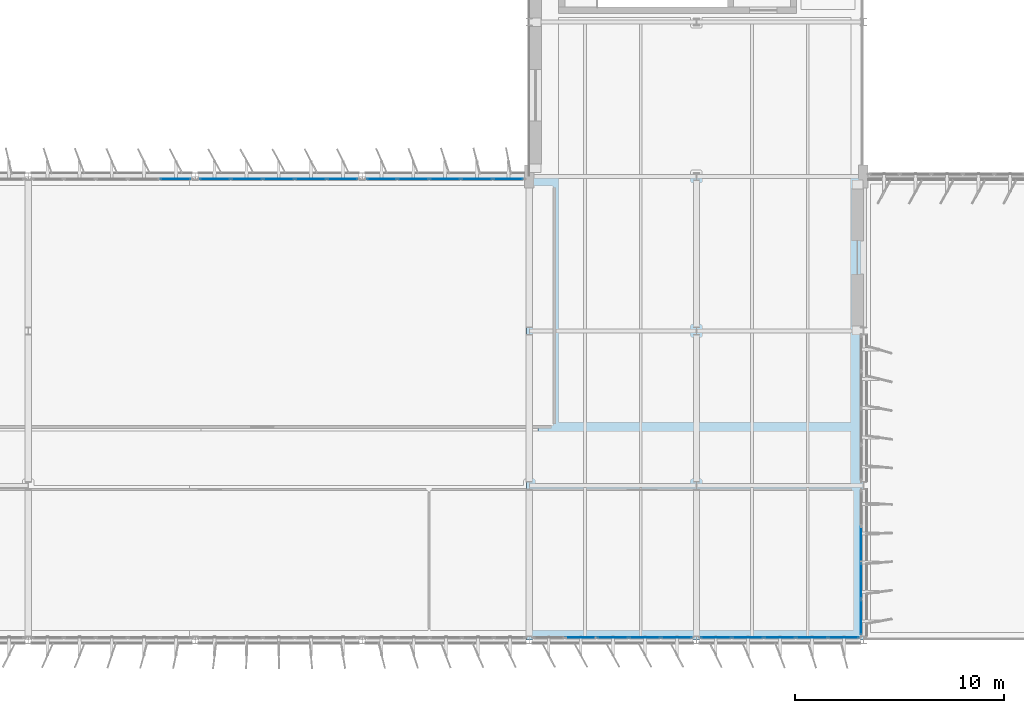
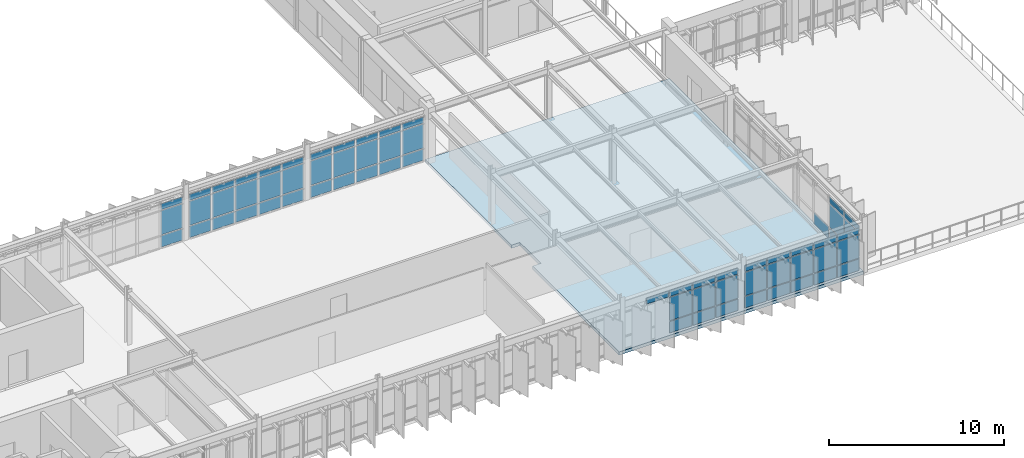
# One storey, part 28 of 45: 65 plates, 1 slab, 6 elements without a shape of their own.
"""IFC4 building model written with IfcOpenShell, lengths in metres."""

from ifc_helpers import new_model, si_unit, direction, frame, origin, origin_2d, place, context, subcontext, project, spatial, polyline, rectangle, outline, extrude, material, layer, layer_set, type_object, element, aggregate, save


model = new_model("IFC4")

# Units and contexts
model_context = context("Model", 3, precision=1e-05, world=origin(), true_north=direction((0.0, 1.0)))
body_context = subcontext(model_context, "Body", "Model", "MODEL_VIEW")
ifc_project = project(units=[si_unit("LENGTHUNIT", "METRE"), si_unit("AREAUNIT", "SQUARE_METRE"), si_unit("VOLUMEUNIT", "CUBIC_METRE"), si_unit("PLANEANGLEUNIT", "RADIAN"), si_unit("MASSUNIT", "GRAM", prefix="KILO")], contexts=[model_context])

# Site, building, storey
site_placement = place(None, origin())
site = spatial("IfcSite", under=ifc_project, at=site_placement, CompositionType="ELEMENT")
building_placement = place(site_placement, origin())
building = spatial("IfcBuilding", under=site, at=building_placement, Name="Valkorina Park Police Headquarters", CompositionType="ELEMENT")
storey_placement = place(building_placement, frame((0.0, 0.0, 23.300048828125)))
storey = spatial("IfcBuildingStorey", under=building, at=storey_placement, Name="L06", CompositionType="ELEMENT", Elevation=23.300048828125)

# Curtain wall, plate
ifc_material_1 = material(Name="Thermally broken aluminium AW-6060", Category="aluminium")
ifc_layer_1 = layer(ifc_material_1, 0.18994140625)
ifc_layer_set_1 = layer_set([ifc_layer_1], Name="Thermally broken aluminium AW-6060")
curtain_wall_type_1 = type_object("IfcCurtainWallType", Name="CW-V5-7680x3170", PredefinedType="NOTDEFINED", material=ifc_layer_set_1)
curtain_wall_1_placement = place(storey_placement, origin())
curtain_wall_1 = element("IfcCurtainWall", 1, at=curtain_wall_1_placement, inside=storey, type_object=curtain_wall_type_1, Name="L06 Unitised Curtain Wall 107", PredefinedType="NOTDEFINED")
ifc_layer_2 = layer(ifc_material_1, 0.050048828125)
ifc_layer_set_2 = layer_set([ifc_layer_2], Name="Thermally broken aluminium AW-6060")
plate_type_1 = type_object("IfcPlateType", Name="PL-CWP-SPANDREL-50", PredefinedType="CURTAIN_PANEL", material=ifc_layer_set_2)
plate_1_placement = place(storey_placement, frame((63.8544921875, 59.080078125, 0.070068359375), z_axis=(0.0, 0.0, 1.0), x_axis=(1.0, 0.0, 0.0)))
plate_1 = element("IfcPlate", 2, at=plate_1_placement, type_object=plate_type_1, Name="CW-V5-768-317 panel 5.1", PredefinedType="CURTAIN_PANEL", context=body_context, shape_type="SweptSolid", body=[
    extrude(rectangle(XDim=1.430908203125, YDim=0.028076171875, at=origin_2d()), origin(), (0.0, 0.0, 1.0), 0.794921875),
])

# Curtain wall, plates
curtain_wall_2_placement = place(storey_placement, origin())
curtain_wall_2 = element("IfcCurtainWall", 3, at=curtain_wall_2_placement, inside=storey, type_object=curtain_wall_type_1, Name="L06 Unitised Curtain Wall 108", PredefinedType="NOTDEFINED")
plate_2_placement = place(storey_placement, frame((65.74560546875, 59.080078125, 0.070068359375), z_axis=(0.0, 0.0, 1.0), x_axis=(1.0, 0.0, 0.0)))
plate_2 = element("IfcPlate", 4, at=plate_2_placement, type_object=plate_type_1, Name="CW-V5-768-317 panel 1.1", PredefinedType="CURTAIN_PANEL", context=body_context, shape_type="SweptSolid", body=[
    extrude(rectangle(XDim=1.430908203125, YDim=0.028076171875, at=origin_2d()), origin(), (0.0, 0.0, 1.0), 0.794921875),
])
plate_3_placement = place(storey_placement, frame((67.263916015625, 59.080078125, 0.070068359375), z_axis=(0.0, 0.0, 1.0), x_axis=(1.0, 0.0, 0.0)))
plate_3 = element("IfcPlate", 5, at=plate_3_placement, type_object=plate_type_1, Name="CW-V5-768-317 panel 2.1", PredefinedType="CURTAIN_PANEL", context=body_context, shape_type="SweptSolid", body=[
    extrude(rectangle(XDim=1.466064453125, YDim=0.028076171875, at=origin_2d()), origin(), (0.0, 0.0, 1.0), 0.794921875),
])
plate_4_placement = place(storey_placement, frame((68.800048828125, 59.080078125, 0.070068359375), z_axis=(0.0, 0.0, 1.0), x_axis=(1.0, 0.0, 0.0)))
plate_4 = element("IfcPlate", 6, at=plate_4_placement, type_object=plate_type_1, Name="CW-V5-768-317 panel 3.1", PredefinedType="CURTAIN_PANEL", context=body_context, shape_type="SweptSolid", body=[
    extrude(rectangle(XDim=1.466064453125, YDim=0.028076171875, at=origin_2d()), origin(), (0.0, 0.0, 1.0), 0.794921875),
])
plate_5_placement = place(storey_placement, frame((70.3359375, 59.080078125, 0.070068359375), z_axis=(0.0, 0.0, 1.0), x_axis=(1.0, 0.0, 0.0)))
plate_5 = element("IfcPlate", 7, at=plate_5_placement, type_object=plate_type_1, Name="CW-V5-768-317 panel 4.1", PredefinedType="CURTAIN_PANEL", context=body_context, shape_type="SweptSolid", body=[
    extrude(rectangle(XDim=1.466064453125, YDim=0.028076171875, at=origin_2d()), origin(), (0.0, 0.0, 1.0), 0.794921875),
])
plate_6_placement = place(storey_placement, frame((71.8544921875, 59.080078125, 0.070068359375), z_axis=(0.0, 0.0, 1.0), x_axis=(1.0, 0.0, 0.0)))
plate_6 = element("IfcPlate", 8, at=plate_6_placement, type_object=plate_type_1, Name="CW-V5-768-317 panel 5.1", PredefinedType="CURTAIN_PANEL", context=body_context, shape_type="SweptSolid", body=[
    extrude(rectangle(XDim=1.430908203125, YDim=0.028076171875, at=origin_2d()), origin(), (0.0, 0.0, 1.0), 0.794921875),
])

ifc_layer_3 = layer(ifc_material_1, 0.18994140625)
ifc_layer_set_3 = layer_set([ifc_layer_3], Name="Thermally broken aluminium AW-6060")
curtain_wall_type_2 = type_object("IfcCurtainWallType", Name="CW-V5-7600x3170", PredefinedType="NOTDEFINED", material=ifc_layer_set_3)
curtain_wall_3_placement = place(storey_placement, origin())
curtain_wall_3 = element("IfcCurtainWall", 9, at=curtain_wall_3_placement, inside=storey, type_object=curtain_wall_type_2, Name="L06 Unitised Curtain Wall 109", PredefinedType="NOTDEFINED")
plate_7_placement = place(storey_placement, frame((73.738037109375, 59.080078125, 0.070068359375), z_axis=(0.0, 0.0, 1.0), x_axis=(1.0, 0.0, 0.0)))
plate_7 = element("IfcPlate", 10, at=plate_7_placement, type_object=plate_type_1, Name="CW-V5-760-317 panel 1.1", PredefinedType="CURTAIN_PANEL", context=body_context, shape_type="SweptSolid", body=[
    extrude(rectangle(XDim=1.416015625, YDim=0.028076171875, at=origin_2d()), origin(), (0.0, 0.0, 1.0), 0.794921875),
])
plate_8_placement = place(storey_placement, frame((75.241455078125, 59.080078125, 0.070068359375), z_axis=(0.0, 0.0, 1.0), x_axis=(1.0, 0.0, 0.0)))
plate_8 = element("IfcPlate", 11, at=plate_8_placement, type_object=plate_type_1, Name="CW-V5-760-317 panel 2.1", PredefinedType="CURTAIN_PANEL", context=body_context, shape_type="SweptSolid", body=[
    extrude(rectangle(XDim=1.450927734375, YDim=0.028076171875, at=origin_2d()), origin(), (0.0, 0.0, 1.0), 0.794921875),
])
plate_9_placement = place(storey_placement, frame((76.762451171875, 59.080078125, 0.070068359375), z_axis=(0.0, 0.0, 1.0), x_axis=(1.0, 0.0, 0.0)))
plate_9 = element("IfcPlate", 12, at=plate_9_placement, type_object=plate_type_1, Name="CW-V5-760-317 panel 3.1", PredefinedType="CURTAIN_PANEL", context=body_context, shape_type="SweptSolid", body=[
    extrude(rectangle(XDim=1.450927734375, YDim=0.028076171875, at=origin_2d()), origin(), (0.0, 0.0, 1.0), 0.794921875),
])
plate_10_placement = place(storey_placement, frame((78.283447265625, 59.080078125, 0.070068359375), z_axis=(0.0, 0.0, 1.0), x_axis=(1.0, 0.0, 0.0)))
plate_10 = element("IfcPlate", 13, at=plate_10_placement, type_object=plate_type_1, Name="CW-V5-760-317 panel 4.1", PredefinedType="CURTAIN_PANEL", context=body_context, shape_type="SweptSolid", body=[
    extrude(rectangle(XDim=1.450927734375, YDim=0.028076171875, at=origin_2d()), origin(), (0.0, 0.0, 1.0), 0.794921875),
])
plate_11_placement = place(storey_placement, frame((79.787109375, 59.080078125, 0.070068359375), z_axis=(0.0, 0.0, 1.0), x_axis=(1.0, 0.0, 0.0)))
plate_11 = element("IfcPlate", 14, at=plate_11_placement, type_object=plate_type_1, Name="CW-V5-760-317 panel 5.1", PredefinedType="CURTAIN_PANEL", context=body_context, shape_type="SweptSolid", body=[
    extrude(rectangle(XDim=1.416015625, YDim=0.028076171875, at=origin_2d()), origin(), (0.0, 0.0, 1.0), 0.794921875),
])

ifc_layer_4 = layer(ifc_material_1, 0.18994140625)
ifc_layer_set_4 = layer_set([ifc_layer_4], Name="Thermally broken aluminium AW-6060")
curtain_wall_type_3 = type_object("IfcCurtainWallType", Name="CW-V5-7020x3110", PredefinedType="NOTDEFINED", material=ifc_layer_set_4)
curtain_wall_4_placement = place(storey_placement, origin())
curtain_wall_4 = element("IfcCurtainWall", 15, at=curtain_wall_4_placement, inside=storey, type_object=curtain_wall_type_3, Name="L06 Unitised Curtain Wall 120", PredefinedType="NOTDEFINED")
plate_12_placement = place(storey_placement, frame((96.679931640625, 41.577392578125, 0.070068359375), z_axis=(0.0, 0.0, 1.0), x_axis=(0.0, -1.0, 0.0)))
plate_12 = element("IfcPlate", 16, at=plate_12_placement, type_object=plate_type_1, Name="CW-V5-702-311 panel 2.1", PredefinedType="CURTAIN_PANEL", context=body_context, shape_type="SweptSolid", body=[
    extrude(rectangle(XDim=1.68505859375, YDim=0.028076171875, at=origin_2d()), origin(), (0.0, 0.0, 1.0), 0.794921875),
])
plate_13_placement = place(storey_placement, frame((96.679931640625, 39.822509765625, 0.070068359375), z_axis=(0.0, 0.0, 1.0), x_axis=(0.0, -1.0, 0.0)))
plate_13 = element("IfcPlate", 17, at=plate_13_placement, type_object=plate_type_1, Name="CW-V5-702-311 panel 3.1", PredefinedType="CURTAIN_PANEL", context=body_context, shape_type="SweptSolid", body=[
    extrude(rectangle(XDim=1.68505859375, YDim=0.028076171875, at=origin_2d()), origin(), (0.0, 0.0, 1.0), 0.794921875),
])
plate_14_placement = place(storey_placement, frame((96.679931640625, 38.0849609375, 0.070068359375), z_axis=(0.0, 0.0, 1.0), x_axis=(0.0, -1.0, 0.0)))
plate_14 = element("IfcPlate", 18, at=plate_14_placement, type_object=plate_type_1, Name="CW-V5-702-311 panel 4.1", PredefinedType="CURTAIN_PANEL", context=body_context, shape_type="SweptSolid", body=[
    extrude(rectangle(XDim=1.64990234375, YDim=0.028076171875, at=origin_2d()), origin(), (0.0, 0.0, 1.0), 0.794921875),
])

ifc_layer_5 = layer(ifc_material_1, 0.18994140625)
ifc_layer_set_5 = layer_set([ifc_layer_5], Name="Thermally broken aluminium AW-6060")
curtain_wall_type_4 = type_object("IfcCurtainWallType", Name="CW-V5-7680x3110", PredefinedType="NOTDEFINED", material=ifc_layer_set_5)
curtain_wall_5_placement = place(storey_placement, origin())
curtain_wall_5 = element("IfcCurtainWall", 19, at=curtain_wall_5_placement, inside=storey, type_object=curtain_wall_type_4, Name="L06 Unitised Curtain Wall 121", PredefinedType="NOTDEFINED")
plate_15_placement = place(storey_placement, frame((95.8544921875, 37.1201171875, 0.070068359375), z_axis=(0.0, 0.0, 1.0), x_axis=(-1.0, 0.0, 0.0)))
plate_15 = element("IfcPlate", 20, at=plate_15_placement, type_object=plate_type_1, Name="CW-V5-768-311 panel 1.1", PredefinedType="CURTAIN_PANEL", context=body_context, shape_type="SweptSolid", body=[
    extrude(rectangle(XDim=1.430908203125, YDim=0.028076171875, at=origin_2d()), origin(), (0.0, 0.0, 1.0), 0.794921875),
])
plate_16_placement = place(storey_placement, frame((94.3359375, 37.1201171875, 0.070068359375), z_axis=(0.0, 0.0, 1.0), x_axis=(-1.0, 0.0, 0.0)))
plate_16 = element("IfcPlate", 21, at=plate_16_placement, type_object=plate_type_1, Name="CW-V5-768-311 panel 2.1", PredefinedType="CURTAIN_PANEL", context=body_context, shape_type="SweptSolid", body=[
    extrude(rectangle(XDim=1.466064453125, YDim=0.028076171875, at=origin_2d()), origin(), (0.0, 0.0, 1.0), 0.794921875),
])
plate_17_placement = place(storey_placement, frame((92.800048828125, 37.1201171875, 0.070068359375), z_axis=(0.0, 0.0, 1.0), x_axis=(-1.0, 0.0, 0.0)))
plate_17 = element("IfcPlate", 22, at=plate_17_placement, type_object=plate_type_1, Name="CW-V5-768-311 panel 3.1", PredefinedType="CURTAIN_PANEL", context=body_context, shape_type="SweptSolid", body=[
    extrude(rectangle(XDim=1.466064453125, YDim=0.028076171875, at=origin_2d()), origin(), (0.0, 0.0, 1.0), 0.794921875),
])
plate_18_placement = place(storey_placement, frame((91.263916015625, 37.1201171875, 0.070068359375), z_axis=(0.0, 0.0, 1.0), x_axis=(-1.0, 0.0, 0.0)))
plate_18 = element("IfcPlate", 23, at=plate_18_placement, type_object=plate_type_1, Name="CW-V5-768-311 panel 4.1", PredefinedType="CURTAIN_PANEL", context=body_context, shape_type="SweptSolid", body=[
    extrude(rectangle(XDim=1.466064453125, YDim=0.028076171875, at=origin_2d()), origin(), (0.0, 0.0, 1.0), 0.794921875),
])
plate_19_placement = place(storey_placement, frame((89.74560546875, 37.1201171875, 0.070068359375), z_axis=(0.0, 0.0, 1.0), x_axis=(-1.0, 0.0, 0.0)))
plate_19 = element("IfcPlate", 24, at=plate_19_placement, type_object=plate_type_1, Name="CW-V5-768-311 panel 5.1", PredefinedType="CURTAIN_PANEL", context=body_context, shape_type="SweptSolid", body=[
    extrude(rectangle(XDim=1.430908203125, YDim=0.028076171875, at=origin_2d()), origin(), (0.0, 0.0, 1.0), 0.794921875),
])

curtain_wall_6_placement = place(storey_placement, origin())
curtain_wall_6 = element("IfcCurtainWall", 25, at=curtain_wall_6_placement, inside=storey, type_object=curtain_wall_type_4, Name="L06 Unitised Curtain Wall 122", PredefinedType="NOTDEFINED")
plate_20_placement = place(storey_placement, frame((87.8544921875, 37.1201171875, 0.070068359375), z_axis=(0.0, 0.0, 1.0), x_axis=(-1.0, 0.0, 0.0)))
plate_20 = element("IfcPlate", 26, at=plate_20_placement, type_object=plate_type_1, Name="CW-V5-768-311 panel 1.1", PredefinedType="CURTAIN_PANEL", context=body_context, shape_type="SweptSolid", body=[
    extrude(rectangle(XDim=1.430908203125, YDim=0.028076171875, at=origin_2d()), origin(), (0.0, 0.0, 1.0), 0.794921875),
])
plate_21_placement = place(storey_placement, frame((86.3359375, 37.1201171875, 0.070068359375), z_axis=(0.0, 0.0, 1.0), x_axis=(-1.0, 0.0, 0.0)))
plate_21 = element("IfcPlate", 27, at=plate_21_placement, type_object=plate_type_1, Name="CW-V5-768-311 panel 2.1", PredefinedType="CURTAIN_PANEL", context=body_context, shape_type="SweptSolid", body=[
    extrude(rectangle(XDim=1.466064453125, YDim=0.028076171875, at=origin_2d()), origin(), (0.0, 0.0, 1.0), 0.794921875),
])
plate_22_placement = place(storey_placement, frame((84.800048828125, 37.1201171875, 0.070068359375), z_axis=(0.0, 0.0, 1.0), x_axis=(-1.0, 0.0, 0.0)))
plate_22 = element("IfcPlate", 28, at=plate_22_placement, type_object=plate_type_1, Name="CW-V5-768-311 panel 3.1", PredefinedType="CURTAIN_PANEL", context=body_context, shape_type="SweptSolid", body=[
    extrude(rectangle(XDim=1.466064453125, YDim=0.028076171875, at=origin_2d()), origin(), (0.0, 0.0, 1.0), 0.794921875),
])

# Plate
ifc_material_2 = material(Name="Triple low-E insulated glazing", Category="glass")
ifc_layer_6 = layer(ifc_material_2, 0.028076171875)
ifc_layer_set_6 = layer_set([ifc_layer_6], Name="Triple low-E insulated glazing")
plate_type_2 = type_object("IfcPlateType", Name="PL-CWP-VISION-28", PredefinedType="CURTAIN_PANEL", material=ifc_layer_set_6)
plate_23_placement = place(storey_placement, frame((63.8544921875, 59.080078125, 0.93505859375), z_axis=(0.0, 0.0, 1.0), x_axis=(1.0, 0.0, 0.0)))
plate_23 = element("IfcPlate", 29, at=plate_23_placement, type_object=plate_type_2, Name="CW-V5-768-317 panel 5.2", PredefinedType="CURTAIN_PANEL", context=body_context, shape_type="SweptSolid", body=[
    extrude(rectangle(XDim=1.430908203125, YDim=0.028076171875, at=origin_2d()), origin(), (0.0, 0.0, 1.0), 1.679931640625),
])

plate_24_placement = place(storey_placement, frame((63.8544921875, 59.080078125, 2.684814453125), z_axis=(0.0, 0.0, 1.0), x_axis=(1.0, 0.0, 0.0)))
plate_24 = element("IfcPlate", 30, at=plate_24_placement, type_object=plate_type_2, Name="CW-V5-768-317 panel 5.3", PredefinedType="CURTAIN_PANEL", context=body_context, shape_type="SweptSolid", body=[
    extrude(rectangle(XDim=1.430908203125, YDim=0.028076171875, at=origin_2d()), origin(), (0.0, 0.0, 1.0), 0.4150390625),
])

aggregate(curtain_wall_1, [plate_1, plate_23, plate_24])

plate_25_placement = place(storey_placement, frame((65.74560546875, 59.080078125, 0.93505859375), z_axis=(0.0, 0.0, 1.0), x_axis=(1.0, 0.0, 0.0)))
plate_25 = element("IfcPlate", 31, at=plate_25_placement, type_object=plate_type_2, Name="CW-V5-768-317 panel 1.2", PredefinedType="CURTAIN_PANEL", context=body_context, shape_type="SweptSolid", body=[
    extrude(rectangle(XDim=1.430908203125, YDim=0.028076171875, at=origin_2d()), origin(), (0.0, 0.0, 1.0), 1.679931640625),
])

plate_26_placement = place(storey_placement, frame((65.74560546875, 59.080078125, 2.684814453125), z_axis=(0.0, 0.0, 1.0), x_axis=(1.0, 0.0, 0.0)))
plate_26 = element("IfcPlate", 32, at=plate_26_placement, type_object=plate_type_2, Name="CW-V5-768-317 panel 1.3", PredefinedType="CURTAIN_PANEL", context=body_context, shape_type="SweptSolid", body=[
    extrude(rectangle(XDim=1.430908203125, YDim=0.028076171875, at=origin_2d()), origin(), (0.0, 0.0, 1.0), 0.4150390625),
])

plate_27_placement = place(storey_placement, frame((67.263916015625, 59.080078125, 0.93505859375), z_axis=(0.0, 0.0, 1.0), x_axis=(1.0, 0.0, 0.0)))
plate_27 = element("IfcPlate", 33, at=plate_27_placement, type_object=plate_type_2, Name="CW-V5-768-317 panel 2.2", PredefinedType="CURTAIN_PANEL", context=body_context, shape_type="SweptSolid", body=[
    extrude(rectangle(XDim=1.466064453125, YDim=0.028076171875, at=origin_2d()), origin(), (0.0, 0.0, 1.0), 1.679931640625),
])

plate_28_placement = place(storey_placement, frame((67.263916015625, 59.080078125, 2.684814453125), z_axis=(0.0, 0.0, 1.0), x_axis=(1.0, 0.0, 0.0)))
plate_28 = element("IfcPlate", 34, at=plate_28_placement, type_object=plate_type_2, Name="CW-V5-768-317 panel 2.3", PredefinedType="CURTAIN_PANEL", context=body_context, shape_type="SweptSolid", body=[
    extrude(rectangle(XDim=1.466064453125, YDim=0.028076171875, at=origin_2d()), origin(), (0.0, 0.0, 1.0), 0.4150390625),
])

plate_29_placement = place(storey_placement, frame((68.800048828125, 59.080078125, 0.93505859375), z_axis=(0.0, 0.0, 1.0), x_axis=(1.0, 0.0, 0.0)))
plate_29 = element("IfcPlate", 35, at=plate_29_placement, type_object=plate_type_2, Name="CW-V5-768-317 panel 3.2", PredefinedType="CURTAIN_PANEL", context=body_context, shape_type="SweptSolid", body=[
    extrude(rectangle(XDim=1.466064453125, YDim=0.028076171875, at=origin_2d()), origin(), (0.0, 0.0, 1.0), 1.679931640625),
])

plate_30_placement = place(storey_placement, frame((68.800048828125, 59.080078125, 2.684814453125), z_axis=(0.0, 0.0, 1.0), x_axis=(1.0, 0.0, 0.0)))
plate_30 = element("IfcPlate", 36, at=plate_30_placement, type_object=plate_type_2, Name="CW-V5-768-317 panel 3.3", PredefinedType="CURTAIN_PANEL", context=body_context, shape_type="SweptSolid", body=[
    extrude(rectangle(XDim=1.466064453125, YDim=0.028076171875, at=origin_2d()), origin(), (0.0, 0.0, 1.0), 0.4150390625),
])

plate_31_placement = place(storey_placement, frame((70.3359375, 59.080078125, 0.93505859375), z_axis=(0.0, 0.0, 1.0), x_axis=(1.0, 0.0, 0.0)))
plate_31 = element("IfcPlate", 37, at=plate_31_placement, type_object=plate_type_2, Name="CW-V5-768-317 panel 4.2", PredefinedType="CURTAIN_PANEL", context=body_context, shape_type="SweptSolid", body=[
    extrude(rectangle(XDim=1.466064453125, YDim=0.028076171875, at=origin_2d()), origin(), (0.0, 0.0, 1.0), 1.679931640625),
])

plate_32_placement = place(storey_placement, frame((70.3359375, 59.080078125, 2.684814453125), z_axis=(0.0, 0.0, 1.0), x_axis=(1.0, 0.0, 0.0)))
plate_32 = element("IfcPlate", 38, at=plate_32_placement, type_object=plate_type_2, Name="CW-V5-768-317 panel 4.3", PredefinedType="CURTAIN_PANEL", context=body_context, shape_type="SweptSolid", body=[
    extrude(rectangle(XDim=1.466064453125, YDim=0.028076171875, at=origin_2d()), origin(), (0.0, 0.0, 1.0), 0.4150390625),
])

plate_33_placement = place(storey_placement, frame((71.8544921875, 59.080078125, 0.93505859375), z_axis=(0.0, 0.0, 1.0), x_axis=(1.0, 0.0, 0.0)))
plate_33 = element("IfcPlate", 39, at=plate_33_placement, type_object=plate_type_2, Name="CW-V5-768-317 panel 5.2", PredefinedType="CURTAIN_PANEL", context=body_context, shape_type="SweptSolid", body=[
    extrude(rectangle(XDim=1.430908203125, YDim=0.028076171875, at=origin_2d()), origin(), (0.0, 0.0, 1.0), 1.679931640625),
])

plate_34_placement = place(storey_placement, frame((71.8544921875, 59.080078125, 2.684814453125), z_axis=(0.0, 0.0, 1.0), x_axis=(1.0, 0.0, 0.0)))
plate_34 = element("IfcPlate", 40, at=plate_34_placement, type_object=plate_type_2, Name="CW-V5-768-317 panel 5.3", PredefinedType="CURTAIN_PANEL", context=body_context, shape_type="SweptSolid", body=[
    extrude(rectangle(XDim=1.430908203125, YDim=0.028076171875, at=origin_2d()), origin(), (0.0, 0.0, 1.0), 0.4150390625),
])

aggregate(curtain_wall_2, [plate_2, plate_25, plate_26, plate_3, plate_27, plate_28, plate_4, plate_29, plate_30, plate_5, plate_31, plate_32, plate_6, plate_33, plate_34])

plate_35_placement = place(storey_placement, frame((73.738037109375, 59.080078125, 0.93505859375), z_axis=(0.0, 0.0, 1.0), x_axis=(1.0, 0.0, 0.0)))
plate_35 = element("IfcPlate", 41, at=plate_35_placement, type_object=plate_type_2, Name="CW-V5-760-317 panel 1.2", PredefinedType="CURTAIN_PANEL", context=body_context, shape_type="SweptSolid", body=[
    extrude(rectangle(XDim=1.416015625, YDim=0.028076171875, at=origin_2d()), origin(), (0.0, 0.0, 1.0), 1.679931640625),
])

plate_36_placement = place(storey_placement, frame((73.738037109375, 59.080078125, 2.684814453125), z_axis=(0.0, 0.0, 1.0), x_axis=(1.0, 0.0, 0.0)))
plate_36 = element("IfcPlate", 42, at=plate_36_placement, type_object=plate_type_2, Name="CW-V5-760-317 panel 1.3", PredefinedType="CURTAIN_PANEL", context=body_context, shape_type="SweptSolid", body=[
    extrude(rectangle(XDim=1.416015625, YDim=0.028076171875, at=origin_2d()), origin(), (0.0, 0.0, 1.0), 0.4150390625),
])

plate_37_placement = place(storey_placement, frame((75.241455078125, 59.080078125, 0.93505859375), z_axis=(0.0, 0.0, 1.0), x_axis=(1.0, 0.0, 0.0)))
plate_37 = element("IfcPlate", 43, at=plate_37_placement, type_object=plate_type_2, Name="CW-V5-760-317 panel 2.2", PredefinedType="CURTAIN_PANEL", context=body_context, shape_type="SweptSolid", body=[
    extrude(rectangle(XDim=1.450927734375, YDim=0.028076171875, at=origin_2d()), origin(), (0.0, 0.0, 1.0), 1.679931640625),
])

plate_38_placement = place(storey_placement, frame((75.241455078125, 59.080078125, 2.684814453125), z_axis=(0.0, 0.0, 1.0), x_axis=(1.0, 0.0, 0.0)))
plate_38 = element("IfcPlate", 44, at=plate_38_placement, type_object=plate_type_2, Name="CW-V5-760-317 panel 2.3", PredefinedType="CURTAIN_PANEL", context=body_context, shape_type="SweptSolid", body=[
    extrude(rectangle(XDim=1.450927734375, YDim=0.028076171875, at=origin_2d()), origin(), (0.0, 0.0, 1.0), 0.4150390625),
])

plate_39_placement = place(storey_placement, frame((76.762451171875, 59.080078125, 0.93505859375), z_axis=(0.0, 0.0, 1.0), x_axis=(1.0, 0.0, 0.0)))
plate_39 = element("IfcPlate", 45, at=plate_39_placement, type_object=plate_type_2, Name="CW-V5-760-317 panel 3.2", PredefinedType="CURTAIN_PANEL", context=body_context, shape_type="SweptSolid", body=[
    extrude(rectangle(XDim=1.450927734375, YDim=0.028076171875, at=origin_2d()), origin(), (0.0, 0.0, 1.0), 1.679931640625),
])

plate_40_placement = place(storey_placement, frame((76.762451171875, 59.080078125, 2.684814453125), z_axis=(0.0, 0.0, 1.0), x_axis=(1.0, 0.0, 0.0)))
plate_40 = element("IfcPlate", 46, at=plate_40_placement, type_object=plate_type_2, Name="CW-V5-760-317 panel 3.3", PredefinedType="CURTAIN_PANEL", context=body_context, shape_type="SweptSolid", body=[
    extrude(rectangle(XDim=1.450927734375, YDim=0.028076171875, at=origin_2d()), origin(), (0.0, 0.0, 1.0), 0.4150390625),
])

plate_41_placement = place(storey_placement, frame((78.283447265625, 59.080078125, 0.93505859375), z_axis=(0.0, 0.0, 1.0), x_axis=(1.0, 0.0, 0.0)))
plate_41 = element("IfcPlate", 47, at=plate_41_placement, type_object=plate_type_2, Name="CW-V5-760-317 panel 4.2", PredefinedType="CURTAIN_PANEL", context=body_context, shape_type="SweptSolid", body=[
    extrude(rectangle(XDim=1.450927734375, YDim=0.028076171875, at=origin_2d()), origin(), (0.0, 0.0, 1.0), 1.679931640625),
])

plate_42_placement = place(storey_placement, frame((78.283447265625, 59.080078125, 2.684814453125), z_axis=(0.0, 0.0, 1.0), x_axis=(1.0, 0.0, 0.0)))
plate_42 = element("IfcPlate", 48, at=plate_42_placement, type_object=plate_type_2, Name="CW-V5-760-317 panel 4.3", PredefinedType="CURTAIN_PANEL", context=body_context, shape_type="SweptSolid", body=[
    extrude(rectangle(XDim=1.450927734375, YDim=0.028076171875, at=origin_2d()), origin(), (0.0, 0.0, 1.0), 0.4150390625),
])

plate_43_placement = place(storey_placement, frame((79.787109375, 59.080078125, 0.93505859375), z_axis=(0.0, 0.0, 1.0), x_axis=(1.0, 0.0, 0.0)))
plate_43 = element("IfcPlate", 49, at=plate_43_placement, type_object=plate_type_2, Name="CW-V5-760-317 panel 5.2", PredefinedType="CURTAIN_PANEL", context=body_context, shape_type="SweptSolid", body=[
    extrude(rectangle(XDim=1.416015625, YDim=0.028076171875, at=origin_2d()), origin(), (0.0, 0.0, 1.0), 1.679931640625),
])

plate_44_placement = place(storey_placement, frame((79.787109375, 59.080078125, 2.684814453125), z_axis=(0.0, 0.0, 1.0), x_axis=(1.0, 0.0, 0.0)))
plate_44 = element("IfcPlate", 50, at=plate_44_placement, type_object=plate_type_2, Name="CW-V5-760-317 panel 5.3", PredefinedType="CURTAIN_PANEL", context=body_context, shape_type="SweptSolid", body=[
    extrude(rectangle(XDim=1.416015625, YDim=0.028076171875, at=origin_2d()), origin(), (0.0, 0.0, 1.0), 0.4150390625),
])

aggregate(curtain_wall_3, [plate_7, plate_35, plate_36, plate_8, plate_37, plate_38, plate_9, plate_39, plate_40, plate_10, plate_41, plate_42, plate_11, plate_43, plate_44])

plate_45_placement = place(storey_placement, frame((96.679931640625, 39.822509765625, 0.934814453125), z_axis=(0.0, 0.0, 1.0), x_axis=(0.0, -1.0, 0.0)))
plate_45 = element("IfcPlate", 51, at=plate_45_placement, type_object=plate_type_2, Name="CW-V5-702-311 panel 3.2", PredefinedType="CURTAIN_PANEL", context=body_context, shape_type="SweptSolid", body=[
    extrude(rectangle(XDim=1.68505859375, YDim=0.028076171875, at=origin_2d()), origin(), (0.0, 0.0, 1.0), 1.6201171875),
])

plate_46_placement = place(storey_placement, frame((96.679931640625, 39.822509765625, 2.625), z_axis=(0.0, 0.0, 1.0), x_axis=(0.0, -1.0, 0.0)))
plate_46 = element("IfcPlate", 52, at=plate_46_placement, type_object=plate_type_2, Name="CW-V5-702-311 panel 3.3", PredefinedType="CURTAIN_PANEL", context=body_context, shape_type="SweptSolid", body=[
    extrude(rectangle(XDim=1.68505859375, YDim=0.028076171875, at=origin_2d()), origin(), (0.0, 0.0, 1.0), 0.4150390625),
])

plate_47_placement = place(storey_placement, frame((96.679931640625, 38.0849609375, 0.934814453125), z_axis=(0.0, 0.0, 1.0), x_axis=(0.0, -1.0, 0.0)))
plate_47 = element("IfcPlate", 53, at=plate_47_placement, type_object=plate_type_2, Name="CW-V5-702-311 panel 4.2", PredefinedType="CURTAIN_PANEL", context=body_context, shape_type="SweptSolid", body=[
    extrude(rectangle(XDim=1.64990234375, YDim=0.028076171875, at=origin_2d()), origin(), (0.0, 0.0, 1.0), 1.6201171875),
])

plate_48_placement = place(storey_placement, frame((96.679931640625, 38.0849609375, 2.625), z_axis=(0.0, 0.0, 1.0), x_axis=(0.0, -1.0, 0.0)))
plate_48 = element("IfcPlate", 54, at=plate_48_placement, type_object=plate_type_2, Name="CW-V5-702-311 panel 4.3", PredefinedType="CURTAIN_PANEL", context=body_context, shape_type="SweptSolid", body=[
    extrude(rectangle(XDim=1.64990234375, YDim=0.028076171875, at=origin_2d()), origin(), (0.0, 0.0, 1.0), 0.4150390625),
])

aggregate(curtain_wall_4, [plate_12, plate_13, plate_45, plate_46, plate_14, plate_47, plate_48])

plate_49_placement = place(storey_placement, frame((95.8544921875, 37.1201171875, 0.934814453125), z_axis=(0.0, 0.0, 1.0), x_axis=(-1.0, 0.0, 0.0)))
plate_49 = element("IfcPlate", 55, at=plate_49_placement, type_object=plate_type_2, Name="CW-V5-768-311 panel 1.2", PredefinedType="CURTAIN_PANEL", context=body_context, shape_type="SweptSolid", body=[
    extrude(rectangle(XDim=1.430908203125, YDim=0.028076171875, at=origin_2d()), origin(), (0.0, 0.0, 1.0), 1.6201171875),
])

plate_50_placement = place(storey_placement, frame((95.8544921875, 37.1201171875, 2.625), z_axis=(0.0, 0.0, 1.0), x_axis=(-1.0, 0.0, 0.0)))
plate_50 = element("IfcPlate", 56, at=plate_50_placement, type_object=plate_type_2, Name="CW-V5-768-311 panel 1.3", PredefinedType="CURTAIN_PANEL", context=body_context, shape_type="SweptSolid", body=[
    extrude(rectangle(XDim=1.430908203125, YDim=0.028076171875, at=origin_2d()), origin(), (0.0, 0.0, 1.0), 0.4150390625),
])

plate_51_placement = place(storey_placement, frame((94.3359375, 37.1201171875, 0.934814453125), z_axis=(0.0, 0.0, 1.0), x_axis=(-1.0, 0.0, 0.0)))
plate_51 = element("IfcPlate", 57, at=plate_51_placement, type_object=plate_type_2, Name="CW-V5-768-311 panel 2.2", PredefinedType="CURTAIN_PANEL", context=body_context, shape_type="SweptSolid", body=[
    extrude(rectangle(XDim=1.466064453125, YDim=0.028076171875, at=origin_2d()), origin(), (0.0, 0.0, 1.0), 1.6201171875),
])

plate_52_placement = place(storey_placement, frame((94.3359375, 37.1201171875, 2.625), z_axis=(0.0, 0.0, 1.0), x_axis=(-1.0, 0.0, 0.0)))
plate_52 = element("IfcPlate", 58, at=plate_52_placement, type_object=plate_type_2, Name="CW-V5-768-311 panel 2.3", PredefinedType="CURTAIN_PANEL", context=body_context, shape_type="SweptSolid", body=[
    extrude(rectangle(XDim=1.466064453125, YDim=0.028076171875, at=origin_2d()), origin(), (0.0, 0.0, 1.0), 0.4150390625),
])

plate_53_placement = place(storey_placement, frame((92.800048828125, 37.1201171875, 0.934814453125), z_axis=(0.0, 0.0, 1.0), x_axis=(-1.0, 0.0, 0.0)))
plate_53 = element("IfcPlate", 59, at=plate_53_placement, type_object=plate_type_2, Name="CW-V5-768-311 panel 3.2", PredefinedType="CURTAIN_PANEL", context=body_context, shape_type="SweptSolid", body=[
    extrude(rectangle(XDim=1.466064453125, YDim=0.028076171875, at=origin_2d()), origin(), (0.0, 0.0, 1.0), 1.6201171875),
])

plate_54_placement = place(storey_placement, frame((92.800048828125, 37.1201171875, 2.625), z_axis=(0.0, 0.0, 1.0), x_axis=(-1.0, 0.0, 0.0)))
plate_54 = element("IfcPlate", 60, at=plate_54_placement, type_object=plate_type_2, Name="CW-V5-768-311 panel 3.3", PredefinedType="CURTAIN_PANEL", context=body_context, shape_type="SweptSolid", body=[
    extrude(rectangle(XDim=1.466064453125, YDim=0.028076171875, at=origin_2d()), origin(), (0.0, 0.0, 1.0), 0.4150390625),
])

plate_55_placement = place(storey_placement, frame((91.263916015625, 37.1201171875, 0.934814453125), z_axis=(0.0, 0.0, 1.0), x_axis=(-1.0, 0.0, 0.0)))
plate_55 = element("IfcPlate", 61, at=plate_55_placement, type_object=plate_type_2, Name="CW-V5-768-311 panel 4.2", PredefinedType="CURTAIN_PANEL", context=body_context, shape_type="SweptSolid", body=[
    extrude(rectangle(XDim=1.466064453125, YDim=0.028076171875, at=origin_2d()), origin(), (0.0, 0.0, 1.0), 1.6201171875),
])

plate_56_placement = place(storey_placement, frame((91.263916015625, 37.1201171875, 2.625), z_axis=(0.0, 0.0, 1.0), x_axis=(-1.0, 0.0, 0.0)))
plate_56 = element("IfcPlate", 62, at=plate_56_placement, type_object=plate_type_2, Name="CW-V5-768-311 panel 4.3", PredefinedType="CURTAIN_PANEL", context=body_context, shape_type="SweptSolid", body=[
    extrude(rectangle(XDim=1.466064453125, YDim=0.028076171875, at=origin_2d()), origin(), (0.0, 0.0, 1.0), 0.4150390625),
])

plate_57_placement = place(storey_placement, frame((89.74560546875, 37.1201171875, 0.934814453125), z_axis=(0.0, 0.0, 1.0), x_axis=(-1.0, 0.0, 0.0)))
plate_57 = element("IfcPlate", 63, at=plate_57_placement, type_object=plate_type_2, Name="CW-V5-768-311 panel 5.2", PredefinedType="CURTAIN_PANEL", context=body_context, shape_type="SweptSolid", body=[
    extrude(rectangle(XDim=1.430908203125, YDim=0.028076171875, at=origin_2d()), origin(), (0.0, 0.0, 1.0), 1.6201171875),
])

plate_58_placement = place(storey_placement, frame((89.74560546875, 37.1201171875, 2.625), z_axis=(0.0, 0.0, 1.0), x_axis=(-1.0, 0.0, 0.0)))
plate_58 = element("IfcPlate", 64, at=plate_58_placement, type_object=plate_type_2, Name="CW-V5-768-311 panel 5.3", PredefinedType="CURTAIN_PANEL", context=body_context, shape_type="SweptSolid", body=[
    extrude(rectangle(XDim=1.430908203125, YDim=0.028076171875, at=origin_2d()), origin(), (0.0, 0.0, 1.0), 0.4150390625),
])

aggregate(curtain_wall_5, [plate_15, plate_49, plate_50, plate_16, plate_51, plate_52, plate_17, plate_53, plate_54, plate_18, plate_55, plate_56, plate_19, plate_57, plate_58])

plate_59_placement = place(storey_placement, frame((87.8544921875, 37.1201171875, 0.934814453125), z_axis=(0.0, 0.0, 1.0), x_axis=(-1.0, 0.0, 0.0)))
plate_59 = element("IfcPlate", 65, at=plate_59_placement, type_object=plate_type_2, Name="CW-V5-768-311 panel 1.2", PredefinedType="CURTAIN_PANEL", context=body_context, shape_type="SweptSolid", body=[
    extrude(rectangle(XDim=1.430908203125, YDim=0.028076171875, at=origin_2d()), origin(), (0.0, 0.0, 1.0), 1.6201171875),
])

plate_60_placement = place(storey_placement, frame((87.8544921875, 37.1201171875, 2.625), z_axis=(0.0, 0.0, 1.0), x_axis=(-1.0, 0.0, 0.0)))
plate_60 = element("IfcPlate", 66, at=plate_60_placement, type_object=plate_type_2, Name="CW-V5-768-311 panel 1.3", PredefinedType="CURTAIN_PANEL", context=body_context, shape_type="SweptSolid", body=[
    extrude(rectangle(XDim=1.430908203125, YDim=0.028076171875, at=origin_2d()), origin(), (0.0, 0.0, 1.0), 0.4150390625),
])

plate_61_placement = place(storey_placement, frame((86.3359375, 37.1201171875, 0.934814453125), z_axis=(0.0, 0.0, 1.0), x_axis=(-1.0, 0.0, 0.0)))
plate_61 = element("IfcPlate", 67, at=plate_61_placement, type_object=plate_type_2, Name="CW-V5-768-311 panel 2.2", PredefinedType="CURTAIN_PANEL", context=body_context, shape_type="SweptSolid", body=[
    extrude(rectangle(XDim=1.466064453125, YDim=0.028076171875, at=origin_2d()), origin(), (0.0, 0.0, 1.0), 1.6201171875),
])

plate_62_placement = place(storey_placement, frame((86.3359375, 37.1201171875, 2.625), z_axis=(0.0, 0.0, 1.0), x_axis=(-1.0, 0.0, 0.0)))
plate_62 = element("IfcPlate", 68, at=plate_62_placement, type_object=plate_type_2, Name="CW-V5-768-311 panel 2.3", PredefinedType="CURTAIN_PANEL", context=body_context, shape_type="SweptSolid", body=[
    extrude(rectangle(XDim=1.466064453125, YDim=0.028076171875, at=origin_2d()), origin(), (0.0, 0.0, 1.0), 0.4150390625),
])

plate_63_placement = place(storey_placement, frame((84.800048828125, 37.1201171875, 0.934814453125), z_axis=(0.0, 0.0, 1.0), x_axis=(-1.0, 0.0, 0.0)))
plate_63 = element("IfcPlate", 69, at=plate_63_placement, type_object=plate_type_2, Name="CW-V5-768-311 panel 3.2", PredefinedType="CURTAIN_PANEL", context=body_context, shape_type="SweptSolid", body=[
    extrude(rectangle(XDim=1.466064453125, YDim=0.028076171875, at=origin_2d()), origin(), (0.0, 0.0, 1.0), 1.6201171875),
])

plate_64_placement = place(storey_placement, frame((84.800048828125, 37.1201171875, 2.625), z_axis=(0.0, 0.0, 1.0), x_axis=(-1.0, 0.0, 0.0)))
plate_64 = element("IfcPlate", 70, at=plate_64_placement, type_object=plate_type_2, Name="CW-V5-768-311 panel 3.3", PredefinedType="CURTAIN_PANEL", context=body_context, shape_type="SweptSolid", body=[
    extrude(rectangle(XDim=1.466064453125, YDim=0.028076171875, at=origin_2d()), origin(), (0.0, 0.0, 1.0), 0.4150390625),
])

plate_65_placement = place(storey_placement, frame((83.263916015625, 37.1201171875, 2.625), z_axis=(0.0, 0.0, 1.0), x_axis=(-1.0, 0.0, 0.0)))
plate_65 = element("IfcPlate", 71, at=plate_65_placement, type_object=plate_type_2, Name="CW-V5-768-311 panel 4.3", PredefinedType="CURTAIN_PANEL", context=body_context, shape_type="SweptSolid", body=[
    extrude(rectangle(XDim=1.466064453125, YDim=0.028076171875, at=origin_2d()), origin(), (0.0, 0.0, 1.0), 0.4150390625),
])

aggregate(curtain_wall_6, [plate_20, plate_59, plate_60, plate_21, plate_61, plate_62, plate_22, plate_63, plate_64, plate_65])

# Slab
ifc_material_3 = material(Name="Concrete C35/45", Category="concrete")
ifc_layer_7 = layer(ifc_material_3, 0.219970703125)
ifc_layer_set_7 = layer_set([ifc_layer_7], Name="Concrete C35/45")
slab_type = type_object("IfcSlabType", Name="SL-COMP-OFF-150", PredefinedType="FLOOR", material=ifc_layer_set_7)
slab_placement = place(storey_placement, frame((0.0, 0.0, -0.219970703125)))
element("IfcSlab", 72, at=slab_placement, inside=storey, type_object=slab_type, Name="L06 Structural Floor Slab 104", PredefinedType="FLOOR", context=body_context, shape_type="SweptSolid", body=[
    extrude(outline(polyline([(80.666748046875, 59.19189453125), (80.666748046875, 49.2958984375), (81.216796875, 49.2958984375), (81.216796875, 46.89599609375), (80.666748046875, 46.89599609375), (80.666748046875, 37.0), (96.800048828125, 37.0), (96.800048828125, 59.19189453125), (80.666748046875, 59.19189453125)])), origin(), (0.0, 0.0, 1.0), 0.219970703125),
])

save(model, "model.ifc")
